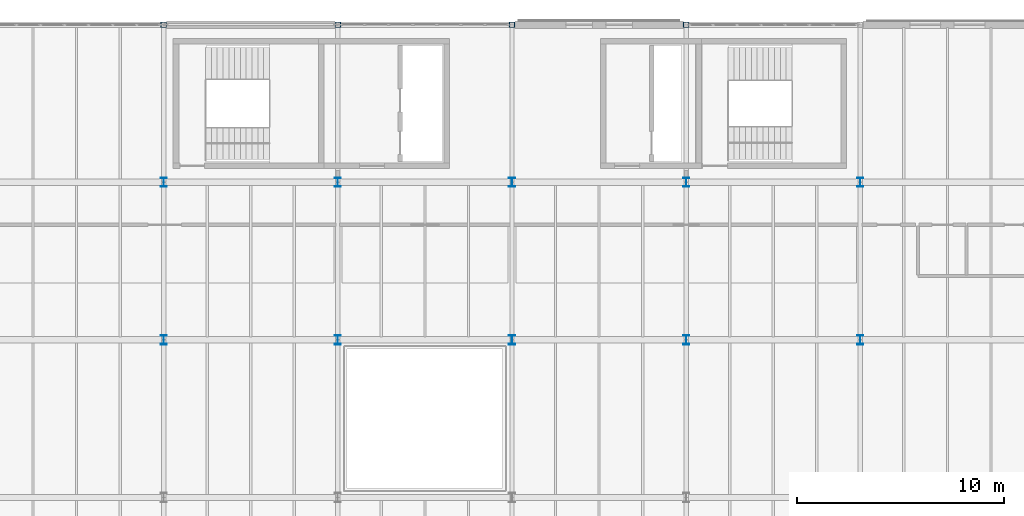
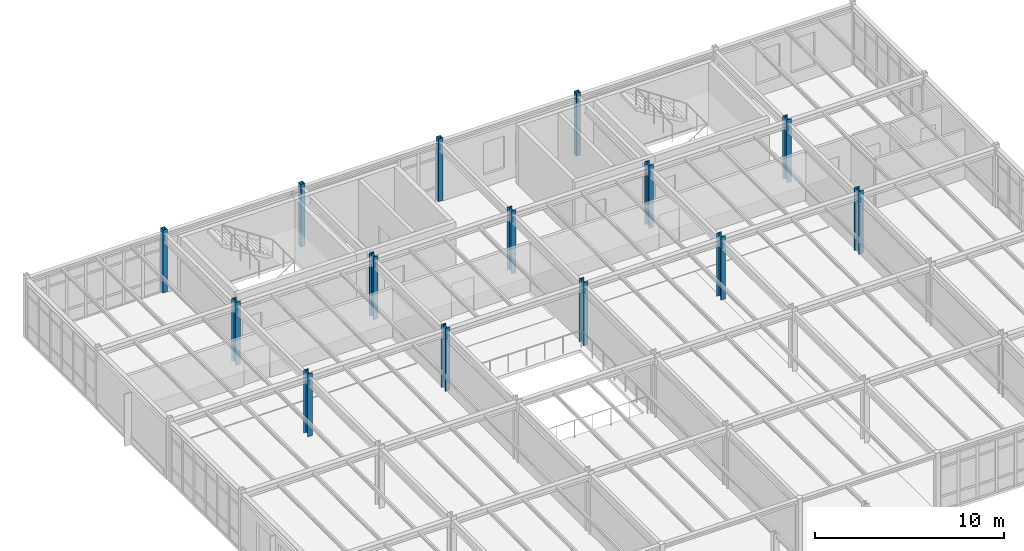
# One storey, part 15 of 189: 14 columns.
"""IFC4 building model written with IfcOpenShell, lengths in metres."""

from ifc_helpers import new_model, si_unit, direction, frame, origin, origin_2d, place, context, subcontext, project, spatial, hollow_rectangle, i_section, extrude, material, material_profile, profile_set, type_object, element, save


model = new_model("IFC4")

# Units and contexts
model_context = context("Model", 3, precision=1e-05, world=origin(), true_north=direction((0.0, 1.0)))
body_context = subcontext(model_context, "Body", "Model", "MODEL_VIEW")
ifc_project = project(units=[si_unit("LENGTHUNIT", "METRE"), si_unit("AREAUNIT", "SQUARE_METRE"), si_unit("VOLUMEUNIT", "CUBIC_METRE"), si_unit("PLANEANGLEUNIT", "RADIAN"), si_unit("MASSUNIT", "GRAM", prefix="KILO")], contexts=[model_context])

# Site, building, storey
site_placement = place(None, origin())
site = spatial("IfcSite", under=ifc_project, at=site_placement, CompositionType="ELEMENT")
building_placement = place(site_placement, origin())
building = spatial("IfcBuilding", under=site, at=building_placement, Name="Montecoro Central Library", CompositionType="ELEMENT")
storey_placement = place(building_placement, frame((0.0, 0.0, 9.179931640625)))
storey = spatial("IfcBuildingStorey", under=building, at=storey_placement, Name="L02", CompositionType="ELEMENT", Elevation=9.179931640625)

# Columns
ifc_material = material(Name="Steel S355", Category="steel")
ifc_material_profile_1 = material_profile(ifc_material, i_section(OverallWidth=0.300048828125, OverallDepth=0.449951171875, WebThickness=0.013916015625, FlangeThickness=0.02587890625, at=origin_2d()), Name="HEB 450")
ifc_profile_set_1 = profile_set([ifc_material_profile_1], Name="Steel S355")
column_type_1 = type_object("IfcColumnType", Name="COL-HEB450", PredefinedType="COLUMN", material=ifc_profile_set_1)
for number, where, z_axis, x_axis, name in (
    (1, (74.800048828125, 103.800048828125, 0.0), (0.0, 0.0, 1.0), (1.0, 0.0, 0.0), "V2-L02-COL-10-P"),
    (2, (74.800048828125, 111.39990234375, 0.0), (0.0, 0.0, 1.0), (1.0, 0.0, 0.0), "V2-L02-COL-10-Q"),
    (3, (83.199951171875, 103.800048828125, 0.0), (0.0, 0.0, 1.0), (1.0, 0.0, 0.0), "V2-L02-COL-11-P"),
    (4, (83.199951171875, 111.39990234375, 0.0), (0.0, 0.0, 1.0), (1.0, 0.0, 0.0), "V2-L02-COL-11-Q"),
    (5, (91.60009765625, 103.800048828125, 0.0), (0.0, 0.0, 1.0), (1.0, 0.0, 0.0), "V2-L02-COL-12-P"),
    (6, (91.60009765625, 111.39990234375, 0.0), (0.0, 0.0, 1.0), (1.0, 0.0, 0.0), "V2-L02-COL-12-Q"),
    (7, (100.0, 103.800048828125, 0.0), (0.0, 0.0, 1.0), (1.0, 0.0, 0.0), "V2-L02-COL-13-P"),
    (8, (100.0, 111.39990234375, 0.0), (0.0, 0.0, 1.0), (1.0, 0.0, 0.0), "V2-L02-COL-13-Q"),
    (9, (108.39990234375, 103.800048828125, 0.0), (0.0, 0.0, 1.0), (1.0, 0.0, 0.0), "V2-L02-COL-14-P"),
    (10, (108.39990234375, 111.39990234375, 0.0), (0.0, 0.0, 1.0), (1.0, 0.0, 0.0), "V2-L02-COL-14-Q"),
):
    element("IfcColumn", number, at=place(storey_placement, frame(where, z_axis=z_axis, x_axis=x_axis)), inside=storey, type_object=column_type_1, Name=name, PredefinedType="COLUMN", context=body_context, shape_type="SweptSolid", body=[
        extrude(i_section(OverallWidth=0.300048828125, OverallDepth=0.449951171875, WebThickness=0.013916015625, FlangeThickness=0.02587890625, at=origin_2d()), origin(), (0.0, 0.0, 1.0), 4.05517578125),
    ])
ifc_material_profile_2 = material_profile(ifc_material, hollow_rectangle(XDim=0.260009765625, YDim=0.260009765625, WallThickness=0.012451171875, at=origin_2d()), Name="SHS 260x260x12.5")
ifc_profile_set_2 = profile_set([ifc_material_profile_2], Name="Steel S355")
column_type_2 = type_object("IfcColumnType", Name="COL-SHS260", PredefinedType="COLUMN", material=ifc_profile_set_2)
for number, where, z_axis, x_axis, name in (
    (11, (74.800048828125, 119.0, 0.0), (0.0, 0.0, 1.0), (1.0, 0.0, 0.0), "V2-L02-COL-10-R"),
    (12, (83.199951171875, 119.0, 0.0), (0.0, 0.0, 1.0), (1.0, 0.0, 0.0), "V2-L02-COL-11-R"),
    (13, (91.60009765625, 119.0, 0.0), (0.0, 0.0, 1.0), (1.0, 0.0, 0.0), "V2-L02-COL-12-R"),
    (14, (100.0, 119.0, 0.0), (0.0, 0.0, 1.0), (1.0, 0.0, 0.0), "V2-L02-COL-13-R"),
):
    element("IfcColumn", number, at=place(storey_placement, frame(where, z_axis=z_axis, x_axis=x_axis)), inside=storey, type_object=column_type_2, Name=name, PredefinedType="COLUMN", context=body_context, shape_type="SweptSolid", body=[
        extrude(hollow_rectangle(XDim=0.260009765625, YDim=0.260009765625, WallThickness=0.012451171875, at=origin_2d()), origin(), (0.0, 0.0, 1.0), 4.05517578125),
    ])

save(model, "model.ifc")
